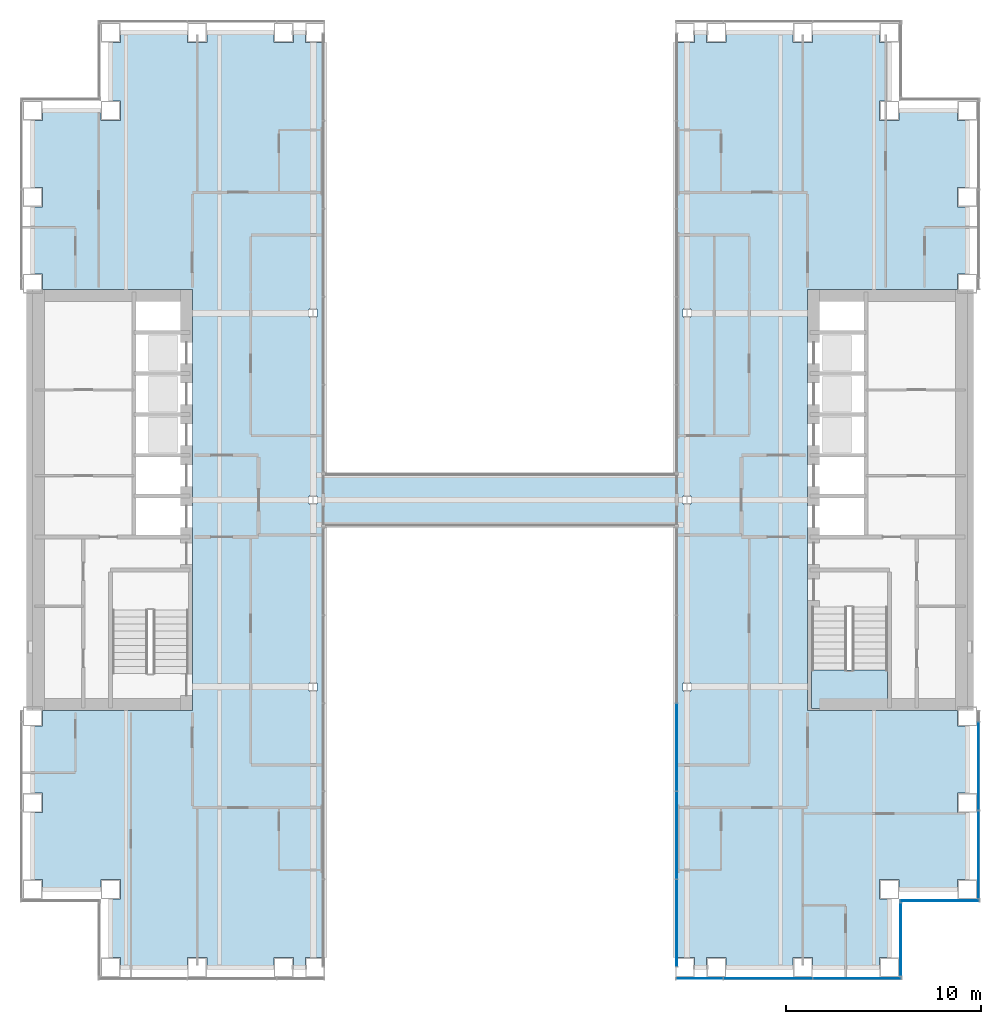
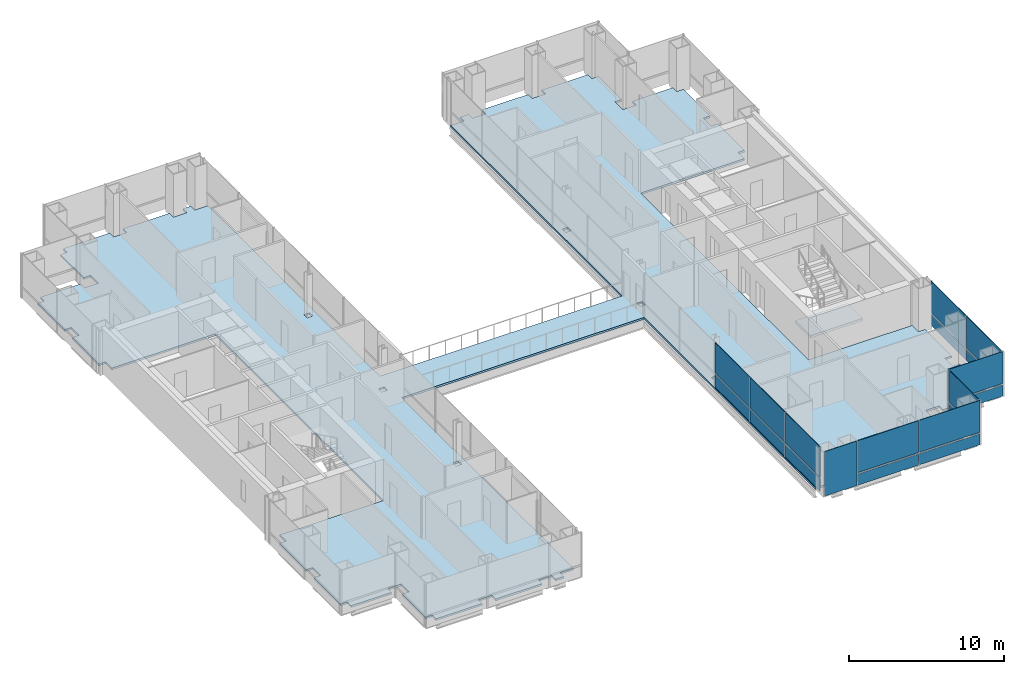
# One storey, part 10 of 19: 19 plates, 2 slabs, 6 elements without a shape of their own.
"""IFC4 building model written with IfcOpenShell, lengths in metres."""

from ifc_helpers import new_model, si_unit, direction, frame, origin, origin_2d, place, context, subcontext, project, spatial, polyline, rectangle, outline, extrude, material, layer, layer_set, type_object, element, aggregate, save


model = new_model("IFC4")

# Units and contexts
model_context = context("Model", 3, precision=1e-05, world=origin(), true_north=direction((0.0, 1.0)))
body_context = subcontext(model_context, "Body", "Model", "MODEL_VIEW")
ifc_project = project(units=[si_unit("LENGTHUNIT", "METRE"), si_unit("AREAUNIT", "SQUARE_METRE"), si_unit("VOLUMEUNIT", "CUBIC_METRE"), si_unit("PLANEANGLEUNIT", "RADIAN"), si_unit("MASSUNIT", "GRAM", prefix="KILO")], contexts=[model_context])

# Site, building, storey
site_placement = place(None, origin())
site = spatial("IfcSite", under=ifc_project, at=site_placement, CompositionType="ELEMENT")
building_placement = place(site_placement, origin())
building = spatial("IfcBuilding", under=site, at=building_placement, Name="Cobrizo Arcos Hotel Tower", CompositionType="ELEMENT")
storey_placement = place(building_placement, frame((0.0, 0.0, 63.5)))
storey = spatial("IfcBuildingStorey", under=building, at=storey_placement, Name="L14", CompositionType="ELEMENT", Elevation=63.5)

# Curtain wall, plates
ifc_material_1 = material(Name="Aluminium 6063-T6 anodised bronze", Category="aluminium")
curtain_wall_type_1 = type_object("IfcCurtainWallType", Name="CW-A guest facade", PredefinedType="NOTDEFINED", material=ifc_material_1)
curtain_wall_1_placement = place(storey_placement, origin())
curtain_wall_1 = element("IfcCurtainWall", 1, at=curtain_wall_1_placement, inside=storey, type_object=curtain_wall_type_1, Name="CW-A L14 S face", PredefinedType="NOTDEFINED")
ifc_material_2 = material(Name="Glass clear laminated low-e", Category="glass")
ifc_layer_1 = layer(ifc_material_2, 0.0400390625)
ifc_layer_set_1 = layer_set([ifc_layer_1], Name="CW-A glass panel")
plate_type_1 = type_object("IfcPlateType", Name="CW-A glass panel", PredefinedType="CURTAIN_PANEL", material=ifc_layer_set_1)
plate_1_placement = place(storey_placement, frame((13.7666015625, -24.574951171875, 0.990234375), z_axis=(0.0, 0.0, 1.0), x_axis=(1.0, 0.0, 0.0)))
plate_1 = element("IfcPlate", 2, at=plate_1_placement, type_object=plate_type_1, Name="CW-A glass panel 625", PredefinedType="CURTAIN_PANEL", context=body_context, shape_type="SweptSolid", body=[
    extrude(rectangle(XDim=4.52880859375, YDim=0.0400390625, at=origin_2d()), origin(), (0.0, 0.0, 1.0), 2.510009765625),
])
plate_2_placement = place(storey_placement, frame((18.340576171875, -24.574951171875, 0.990234375), z_axis=(0.0, 0.0, 1.0), x_axis=(1.0, 0.0, 0.0)))
plate_2 = element("IfcPlate", 3, at=plate_2_placement, type_object=plate_type_1, Name="CW-A glass panel 626", PredefinedType="CURTAIN_PANEL", context=body_context, shape_type="SweptSolid", body=[
    extrude(rectangle(XDim=4.498779296875, YDim=0.0400390625, at=origin_2d()), origin(), (0.0, 0.0, 1.0), 2.510009765625),
])

# Curtain wall, plate
curtain_wall_2_placement = place(storey_placement, origin())
curtain_wall_2 = element("IfcCurtainWall", 4, at=curtain_wall_2_placement, inside=storey, type_object=curtain_wall_type_1, Name="CW-A L14 E face", PredefinedType="NOTDEFINED")
plate_3_placement = place(storey_placement, frame((20.574951171875, -22.574951171875, 0.990234375), z_axis=(0.0, 0.0, 1.0), x_axis=(0.0, 1.0, 0.0)))
plate_3 = element("IfcPlate", 5, at=plate_3_placement, type_object=plate_type_1, Name="CW-A glass panel 627", PredefinedType="CURTAIN_PANEL", context=body_context, shape_type="SweptSolid", body=[
    extrude(rectangle(XDim=3.72998046875, YDim=0.0400390625, at=origin_2d()), origin(), (0.0, 0.0, 1.0), 2.510009765625),
])

curtain_wall_3_placement = place(storey_placement, origin())
curtain_wall_3 = element("IfcCurtainWall", 6, at=curtain_wall_3_placement, inside=storey, type_object=curtain_wall_type_1, Name="CW-A L14 S face", PredefinedType="NOTDEFINED")
plate_4_placement = place(storey_placement, frame((22.574951171875, -20.574951171875, 0.990234375), z_axis=(0.0, 0.0, 1.0), x_axis=(1.0, 0.0, 0.0)))
plate_4 = element("IfcPlate", 7, at=plate_4_placement, type_object=plate_type_1, Name="CW-A glass panel 628", PredefinedType="CURTAIN_PANEL", context=body_context, shape_type="SweptSolid", body=[
    extrude(rectangle(XDim=4.030029296875, YDim=0.0400390625, at=origin_2d()), origin(), (0.0, 0.0, 1.0), 2.510009765625),
])

# Curtain wall, plates
curtain_wall_4_placement = place(storey_placement, origin())
curtain_wall_4 = element("IfcCurtainWall", 8, at=curtain_wall_4_placement, inside=storey, type_object=curtain_wall_type_1, Name="CW-A L14 E face", PredefinedType="NOTDEFINED")
plate_5_placement = place(storey_placement, frame((24.574951171875, -18.207275390625, 0.990234375), z_axis=(0.0, 0.0, 1.0), x_axis=(0.0, 1.0, 0.0)))
plate_5 = element("IfcPlate", 9, at=plate_5_placement, type_object=plate_type_1, Name="CW-A glass panel 629", PredefinedType="CURTAIN_PANEL", context=body_context, shape_type="SweptSolid", body=[
    extrude(rectangle(XDim=4.465576171875, YDim=0.0400390625, at=origin_2d()), origin(), (0.0, 0.0, 1.0), 2.510009765625),
])
plate_6_placement = place(storey_placement, frame((24.574951171875, -13.666748046875, 0.990234375), z_axis=(0.0, 0.0, 1.0), x_axis=(0.0, 1.0, 0.0)))
plate_6 = element("IfcPlate", 10, at=plate_6_placement, type_object=plate_type_1, Name="CW-A glass panel 630", PredefinedType="CURTAIN_PANEL", context=body_context, shape_type="SweptSolid", body=[
    extrude(rectangle(XDim=4.49560546875, YDim=0.0400390625, at=origin_2d()), origin(), (0.0, 0.0, 1.0), 2.510009765625),
])

# Plate
ifc_material_3 = material(Name="Aluminium composite panel pale metal", Category="aluminium")
ifc_layer_2 = layer(ifc_material_3, 0.0400390625)
ifc_layer_set_2 = layer_set([ifc_layer_2], Name="CW-A spandrel panel")
plate_type_2 = type_object("IfcPlateType", Name="CW-A spandrel panel", PredefinedType="CURTAIN_PANEL", material=ifc_layer_set_2)
plate_7_placement = place(storey_placement, frame((10.251220703125, -24.574951171875, 0.0), z_axis=(0.0, 0.0, 1.0), x_axis=(1.0, 0.0, 0.0)))
plate_7 = element("IfcPlate", 11, at=plate_7_placement, type_object=plate_type_2, Name="CW-A spandrel panel 624", PredefinedType="CURTAIN_PANEL", context=body_context, shape_type="SweptSolid", body=[
    extrude(rectangle(XDim=2.38232421875, YDim=0.0400390625, at=origin_2d()), origin(), (0.0, 0.0, 1.0), 3.5),
])

plate_8_placement = place(storey_placement, frame((13.7666015625, -24.574951171875, 0.0), z_axis=(0.0, 0.0, 1.0), x_axis=(1.0, 0.0, 0.0)))
plate_8 = element("IfcPlate", 12, at=plate_8_placement, type_object=plate_type_2, Name="CW-A spandrel panel 625", PredefinedType="CURTAIN_PANEL", context=body_context, shape_type="SweptSolid", body=[
    extrude(rectangle(XDim=4.52880859375, YDim=0.0400390625, at=origin_2d()), origin(), (0.0, 0.0, 1.0), 0.8701171875),
])

plate_9_placement = place(storey_placement, frame((18.340576171875, -24.574951171875, 0.0), z_axis=(0.0, 0.0, 1.0), x_axis=(1.0, 0.0, 0.0)))
plate_9 = element("IfcPlate", 13, at=plate_9_placement, type_object=plate_type_2, Name="CW-A spandrel panel 626", PredefinedType="CURTAIN_PANEL", context=body_context, shape_type="SweptSolid", body=[
    extrude(rectangle(XDim=4.498779296875, YDim=0.0400390625, at=origin_2d()), origin(), (0.0, 0.0, 1.0), 0.8701171875),
])

aggregate(curtain_wall_1, [plate_7, plate_8, plate_1, plate_9, plate_2])

plate_10_placement = place(storey_placement, frame((20.574951171875, -22.574951171875, 0.0), z_axis=(0.0, 0.0, 1.0), x_axis=(0.0, 1.0, 0.0)))
plate_10 = element("IfcPlate", 14, at=plate_10_placement, type_object=plate_type_2, Name="CW-A spandrel panel 627", PredefinedType="CURTAIN_PANEL", context=body_context, shape_type="SweptSolid", body=[
    extrude(rectangle(XDim=3.72998046875, YDim=0.0400390625, at=origin_2d()), origin(), (0.0, 0.0, 1.0), 0.8701171875),
])

aggregate(curtain_wall_2, [plate_10, plate_3])

plate_11_placement = place(storey_placement, frame((22.574951171875, -20.574951171875, 0.0), z_axis=(0.0, 0.0, 1.0), x_axis=(1.0, 0.0, 0.0)))
plate_11 = element("IfcPlate", 15, at=plate_11_placement, type_object=plate_type_2, Name="CW-A spandrel panel 628", PredefinedType="CURTAIN_PANEL", context=body_context, shape_type="SweptSolid", body=[
    extrude(rectangle(XDim=4.030029296875, YDim=0.0400390625, at=origin_2d()), origin(), (0.0, 0.0, 1.0), 0.8701171875),
])

aggregate(curtain_wall_3, [plate_11, plate_4])

plate_12_placement = place(storey_placement, frame((24.574951171875, -18.207275390625, 0.0), z_axis=(0.0, 0.0, 1.0), x_axis=(0.0, 1.0, 0.0)))
plate_12 = element("IfcPlate", 16, at=plate_12_placement, type_object=plate_type_2, Name="CW-A spandrel panel 629", PredefinedType="CURTAIN_PANEL", context=body_context, shape_type="SweptSolid", body=[
    extrude(rectangle(XDim=4.465576171875, YDim=0.0400390625, at=origin_2d()), origin(), (0.0, 0.0, 1.0), 0.8701171875),
])

plate_13_placement = place(storey_placement, frame((24.574951171875, -13.666748046875, 0.0), z_axis=(0.0, 0.0, 1.0), x_axis=(0.0, 1.0, 0.0)))
plate_13 = element("IfcPlate", 17, at=plate_13_placement, type_object=plate_type_2, Name="CW-A spandrel panel 630", PredefinedType="CURTAIN_PANEL", context=body_context, shape_type="SweptSolid", body=[
    extrude(rectangle(XDim=4.49560546875, YDim=0.0400390625, at=origin_2d()), origin(), (0.0, 0.0, 1.0), 0.8701171875),
])

aggregate(curtain_wall_4, [plate_12, plate_5, plate_13, plate_6])

# Curtain wall, plates
curtain_wall_type_2 = type_object("IfcCurtainWallType", Name="CW-F void screen", PredefinedType="NOTDEFINED", material=ifc_material_1)
curtain_wall_5_placement = place(storey_placement, origin())
curtain_wall_5 = element("IfcCurtainWall", 18, at=curtain_wall_5_placement, inside=storey, type_object=curtain_wall_type_2, Name="CW-F L14 void screen A", PredefinedType="NOTDEFINED")
ifc_layer_3 = layer(ifc_material_2, 0.0400390625)
ifc_layer_set_3 = layer_set([ifc_layer_3], Name="CW-F glass panel")
plate_type_3 = type_object("IfcPlateType", Name="CW-F glass panel", PredefinedType="CURTAIN_PANEL", material=ifc_layer_set_3)
plate_14_placement = place(storey_placement, frame((9.074951171875, -21.72509765625, 0.0), z_axis=(0.0, 0.0, 1.0), x_axis=(0.0, 1.0, 0.0)))
plate_14 = element("IfcPlate", 19, at=plate_14_placement, type_object=plate_type_3, Name="CW-F glass panel 2448", PredefinedType="CURTAIN_PANEL", context=body_context, shape_type="SweptSolid", body=[
    extrude(rectangle(XDim=4.429931640625, YDim=0.0400390625, at=origin_2d()), origin(), (0.0, 0.0, 1.0), 0.989990234375),
])
plate_15_placement = place(storey_placement, frame((9.074951171875, -21.72509765625, 1.10986328125), z_axis=(0.0, 0.0, 1.0), x_axis=(0.0, 1.0, 0.0)))
plate_15 = element("IfcPlate", 20, at=plate_15_placement, type_object=plate_type_3, Name="CW-F glass panel 2448", PredefinedType="CURTAIN_PANEL", context=body_context, shape_type="SweptSolid", body=[
    extrude(rectangle(XDim=4.429931640625, YDim=0.0400390625, at=origin_2d()), origin(), (0.0, 0.0, 1.0), 2.389892578125),
])
plate_16_placement = place(storey_placement, frame((9.074951171875, -17.219970703125, 0.0), z_axis=(0.0, 0.0, 1.0), x_axis=(0.0, 1.0, 0.0)))
plate_16 = element("IfcPlate", 21, at=plate_16_placement, type_object=plate_type_3, Name="CW-F glass panel 2449", PredefinedType="CURTAIN_PANEL", context=body_context, shape_type="SweptSolid", body=[
    extrude(rectangle(XDim=4.4599609375, YDim=0.0400390625, at=origin_2d()), origin(), (0.0, 0.0, 1.0), 0.989990234375),
])
plate_17_placement = place(storey_placement, frame((9.074951171875, -17.219970703125, 1.10986328125), z_axis=(0.0, 0.0, 1.0), x_axis=(0.0, 1.0, 0.0)))
plate_17 = element("IfcPlate", 22, at=plate_17_placement, type_object=plate_type_3, Name="CW-F glass panel 2449", PredefinedType="CURTAIN_PANEL", context=body_context, shape_type="SweptSolid", body=[
    extrude(rectangle(XDim=4.4599609375, YDim=0.0400390625, at=origin_2d()), origin(), (0.0, 0.0, 1.0), 2.389892578125),
])
plate_18_placement = place(storey_placement, frame((9.074951171875, -12.699951171875, 0.0), z_axis=(0.0, 0.0, 1.0), x_axis=(0.0, 1.0, 0.0)))
plate_18 = element("IfcPlate", 23, at=plate_18_placement, type_object=plate_type_3, Name="CW-F glass panel 2450", PredefinedType="CURTAIN_PANEL", context=body_context, shape_type="SweptSolid", body=[
    extrude(rectangle(XDim=4.4599609375, YDim=0.0400390625, at=origin_2d()), origin(), (0.0, 0.0, 1.0), 0.989990234375),
])
plate_19_placement = place(storey_placement, frame((9.074951171875, -12.699951171875, 1.10986328125), z_axis=(0.0, 0.0, 1.0), x_axis=(0.0, 1.0, 0.0)))
plate_19 = element("IfcPlate", 24, at=plate_19_placement, type_object=plate_type_3, Name="CW-F glass panel 2450", PredefinedType="CURTAIN_PANEL", context=body_context, shape_type="SweptSolid", body=[
    extrude(rectangle(XDim=4.4599609375, YDim=0.0400390625, at=origin_2d()), origin(), (0.0, 0.0, 1.0), 2.389892578125),
])
aggregate(curtain_wall_5, [plate_14, plate_15, plate_16, plate_17, plate_18, plate_19])

# Slab
ifc_material_4 = material(Name="Concrete f'c 35 MPa", Category="concrete")
ifc_layer_4 = layer(ifc_material_4, 0.14990234375)
ifc_layer_set_4 = layer_set([ifc_layer_4], Name="Composite floor slab 150 f'c 35")
slab_type_1 = type_object("IfcSlabType", Name="Composite floor slab 150 f'c 35", PredefinedType="FLOOR", material=ifc_layer_set_4)
slab_1_placement = place(storey_placement, frame((0.0, 0.0, -0.14990234375)))
element("IfcSlab", 25, at=slab_1_placement, inside=storey, type_object=slab_type_1, Name="Floor slab S5, L14, no. 01", PredefinedType="FLOOR", context=body_context, shape_type="SweptSolid", body=[
    extrude(outline(polyline([(23.5, 20.0), (23.5, 19.5), (24.0, 19.5), (24.0, 16.055908203125), (23.5, 16.055908203125), (23.5, 15.055908203125), (24.0, 15.055908203125), (24.0, 11.611083984375), (23.5, 11.611083984375), (23.5, 10.800048828125), (15.800048828125, 10.800048828125), (15.800048828125, -10.800048828125), (23.5, -10.800048828125), (23.5, -11.611083984375), (24.0, -11.611083984375), (24.0, -15.055908203125), (23.5, -15.055908203125), (23.5, -16.055908203125), (24.0, -16.055908203125), (24.0, -19.5), (23.5, -19.5), (23.5, -20.0), (20.5, -20.0), (20.5, -19.5), (19.5, -19.5), (19.5, -20.5), (20.0, -20.5), (20.0, -23.5), (19.5, -23.5), (19.5, -24.0), (16.055908203125, -24.0), (16.055908203125, -23.5), (15.055908203125, -23.5), (15.055908203125, -24.0), (11.611083984375, -24.0), (11.611083984375, -23.5), (10.611083984375, -23.5), (10.611083984375, -24.0), (10.0, -24.0), (10.0, -23.5), (9.0, -23.5), (9.0, -1.39990234375), (-9.0, -1.39990234375), (-9.0, -23.5), (-10.0, -23.5), (-10.0, -24.0), (-10.611083984375, -24.0), (-10.611083984375, -23.5), (-11.611083984375, -23.5), (-11.611083984375, -24.0), (-15.055908203125, -24.0), (-15.055908203125, -23.5), (-16.055908203125, -23.5), (-16.055908203125, -24.0), (-19.5, -24.0), (-19.5, -23.5), (-20.0, -23.5), (-20.0, -20.5), (-19.5, -20.5), (-19.5, -19.5), (-20.5, -19.5), (-20.5, -20.0), (-23.5, -20.0), (-23.5, -19.5), (-24.0, -19.5), (-24.0, -16.055908203125), (-23.5, -16.055908203125), (-23.5, -15.055908203125), (-24.0, -15.055908203125), (-24.0, -11.611083984375), (-23.5, -11.611083984375), (-23.5, -10.800048828125), (-15.800048828125, -10.800048828125), (-15.800048828125, 10.800048828125), (-23.5, 10.800048828125), (-23.5, 11.611083984375), (-24.0, 11.611083984375), (-24.0, 15.055908203125), (-23.5, 15.055908203125), (-23.5, 16.055908203125), (-24.0, 16.055908203125), (-24.0, 19.5), (-23.5, 19.5), (-23.5, 20.0), (-20.5, 20.0), (-20.5, 19.5), (-19.5, 19.5), (-19.5, 20.5), (-20.0, 20.5), (-20.0, 23.5), (-19.5, 23.5), (-19.5, 24.0), (-16.055908203125, 24.0), (-16.055908203125, 23.5), (-15.055908203125, 23.5), (-15.055908203125, 24.0), (-11.611083984375, 24.0), (-11.611083984375, 23.5), (-10.611083984375, 23.5), (-10.611083984375, 24.0), (-10.0, 24.0), (-10.0, 23.5), (-9.0, 23.5), (-9.0, 1.39990234375), (9.0, 1.39990234375), (9.0, 23.5), (10.0, 23.5), (10.0, 24.0), (10.611083984375, 24.0), (10.611083984375, 23.5), (11.611083984375, 23.5), (11.611083984375, 24.0), (15.055908203125, 24.0), (15.055908203125, 23.5), (16.055908203125, 23.5), (16.055908203125, 24.0), (19.5, 24.0), (19.5, 23.5), (20.0, 23.5), (20.0, 20.5), (19.5, 20.5), (19.5, 19.5), (20.5, 19.5), (20.5, 20.0), (23.5, 20.0)]), holes=[polyline([(-9.804443359375, -9.804443359375), (-9.3955078125, -9.804443359375), (-9.3955078125, -9.3955078125), (-9.804443359375, -9.3955078125), (-9.804443359375, -9.804443359375)]), polyline([(-9.3955078125, -0.204345703125), (-9.3955078125, 0.204345703125), (-9.804443359375, 0.204345703125), (-9.804443359375, -0.204345703125), (-9.3955078125, -0.204345703125)]), polyline([(-9.3955078125, 9.3955078125), (-9.3955078125, 9.804443359375), (-9.804443359375, 9.804443359375), (-9.804443359375, 9.3955078125), (-9.3955078125, 9.3955078125)]), polyline([(9.3955078125, -9.804443359375), (9.804443359375, -9.804443359375), (9.804443359375, -9.3955078125), (9.3955078125, -9.3955078125), (9.3955078125, -9.804443359375)]), polyline([(9.3955078125, -0.204345703125), (9.804443359375, -0.204345703125), (9.804443359375, 0.204345703125), (9.3955078125, 0.204345703125), (9.3955078125, -0.204345703125)]), polyline([(9.804443359375, 9.3955078125), (9.804443359375, 9.804443359375), (9.3955078125, 9.804443359375), (9.3955078125, 9.3955078125), (9.804443359375, 9.3955078125)])]), origin(), (0.0, 0.0, 1.0), 0.14990234375),
])

# Stair, slab
ifc_material_5 = material(Name="Concrete f'c 40 MPa", Category="concrete")
stair_type = type_object("IfcStairType", Name="Exit stair", PredefinedType="HALF_TURN_STAIR", material=ifc_material_5)
stair_placement = place(storey_placement, origin())
stair = element("IfcStair", 26, at=stair_placement, inside=storey, type_object=stair_type, Name="L14 Exit stair ST-E", PredefinedType="HALF_TURN_STAIR")
ifc_layer_5 = layer(ifc_material_5, 0.199951171875)
ifc_layer_set_5 = layer_set([ifc_layer_5], Name="Stair landing")
slab_type_2 = type_object("IfcSlabType", Name="Stair landing", PredefinedType="LANDING", material=ifc_layer_set_5)
slab_2_placement = place(storey_placement, frame((0.0, 0.0, 1.550048828125)))
slab_2 = element("IfcSlab", 27, at=slab_2_placement, type_object=slab_type_2, Name="ST-E landing 1", PredefinedType="LANDING", context=body_context, shape_type="SweptSolid", body=[
    extrude(outline(polyline([(16.0, -8.739990234375), (16.0, -10.699951171875), (19.89990234375, -10.699951171875), (19.89990234375, -8.739990234375), (16.0, -8.739990234375)])), origin(), (0.0, 0.0, 1.0), 0.199951171875),
])
aggregate(stair, [slab_2])

save(model, "model.ifc")
